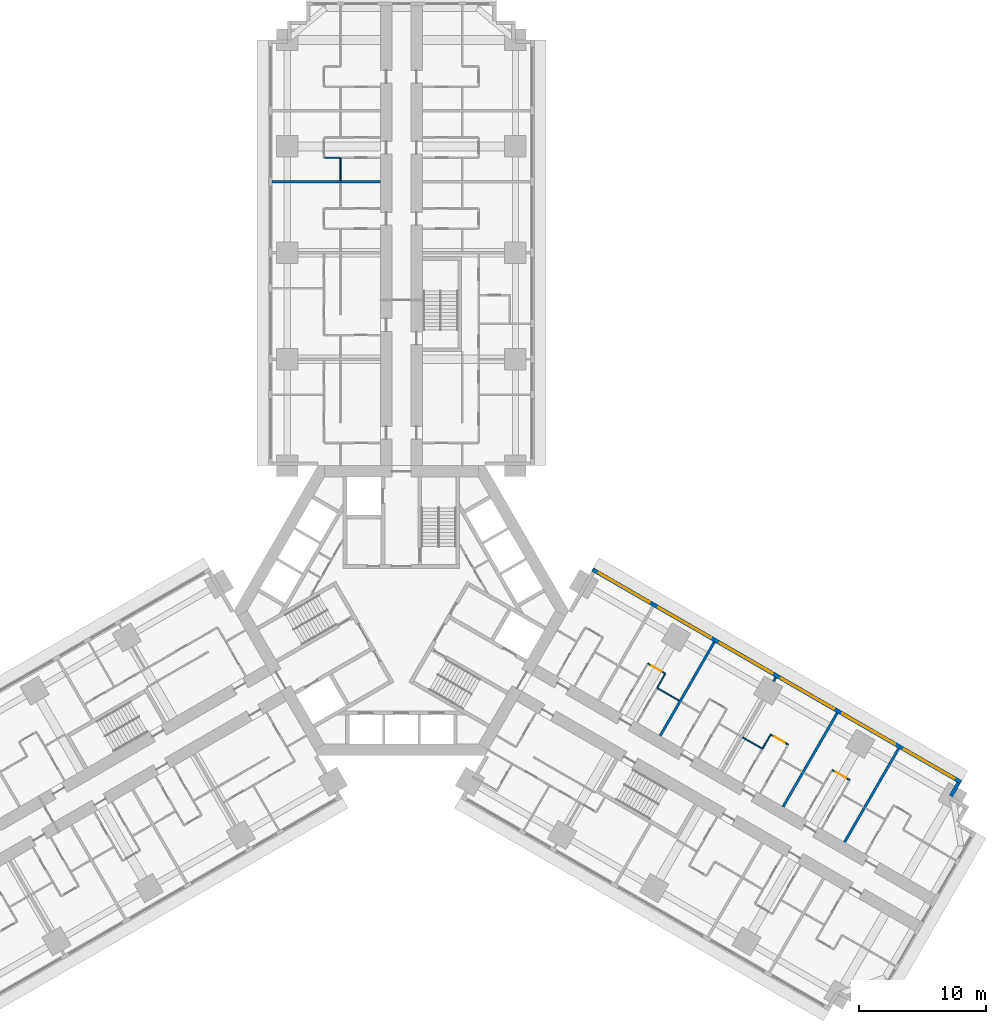
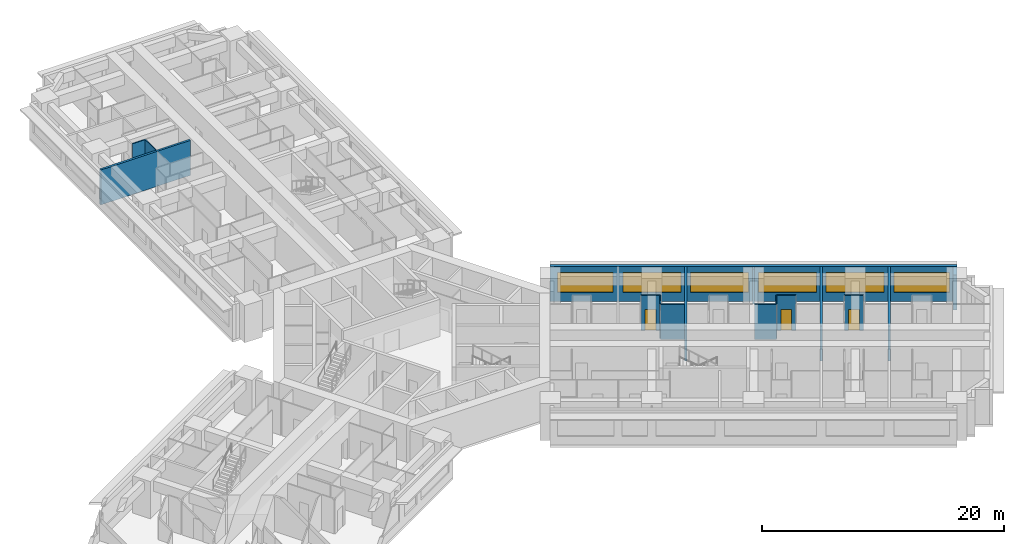
# One storey, part 13 of 16: 16 walls, 6 windows, 3 doors, 9 openings.
"""IFC4 building model written with IfcOpenShell, lengths in metres."""

from ifc_helpers import new_model, si_unit, direction, frame, frame_2d, origin, place, context, subcontext, project, spatial, rectangle, extrude, material, layer, layer_set, type_object, element, fill, save


model = new_model("IFC4")

# Units and contexts
model_context = context("Model", 3, precision=1e-05, world=origin(), true_north=direction((0.0, 1.0)))
body_context = subcontext(model_context, "Body", "Model", "MODEL_VIEW")
ifc_project = project(units=[si_unit("LENGTHUNIT", "METRE"), si_unit("AREAUNIT", "SQUARE_METRE"), si_unit("VOLUMEUNIT", "CUBIC_METRE"), si_unit("PLANEANGLEUNIT", "RADIAN"), si_unit("MASSUNIT", "GRAM", prefix="KILO")], contexts=[model_context])

# Site, building, storey
site_placement = place(None, origin())
site = spatial("IfcSite", under=ifc_project, at=site_placement, CompositionType="ELEMENT")
building_placement = place(site_placement, origin())
building = spatial("IfcBuilding", under=site, at=building_placement, Name="Impinga Residences", CompositionType="ELEMENT")
storey_placement = place(building_placement, frame((0.0, 0.0, 37.25)))
storey = spatial("IfcBuildingStorey", under=building, at=storey_placement, Name="L08", CompositionType="ELEMENT", Elevation=37.25)

# Wall, openings, windows
ifc_material_1 = material(Name="Terracotta rainscreen on blockwork", Category="masonry")
ifc_layer_1 = layer(ifc_material_1, 0.300048828125)
ifc_layer_set_1 = layer_set([ifc_layer_1], Name="EW1 external wall, terracotta rainscreen on blockwork 300")
wall_type_1 = type_object("IfcWallType", Name="EW1 external wall, terracotta rainscreen on blockwork 300", PredefinedType="SOLIDWALL", material=ifc_layer_set_1)
wall_1_placement = place(storey_placement, frame((15.074951171875, 3.24755859375, 0.0), z_axis=(0.0, 0.0, 1.0), x_axis=(0.866024291668, -0.500001926238, 0.0)))
wall_1 = element("IfcWall", 1, at=wall_1_placement, inside=storey, type_object=wall_type_1, Name="External wall EW1 L08", PredefinedType="SOLIDWALL", context=body_context, shape_type="SweptSolid", body=[
    extrude(rectangle(XDim=33.599853515625, YDim=0.300048828125, at=frame_2d((16.7998046875, 0.0))), origin(), (0.0, 0.0, 1.0), 3.530029296875),
])
opening_1_placement = place(wall_1_placement, frame((0.60009765625, 0.0, 0.89990234375)))
opening_1 = element("IfcOpeningElement", 2, at=opening_1_placement, cuts=wall_1, Name="Opening W3", PredefinedType="OPENING", context=body_context, shape_type="SweptSolid", body=[
    extrude(rectangle(XDim=4.60009765625, YDim=2.050048828125, at=frame_2d((2.300048828125, 1.02490234375))), frame((0.0, 0.159912109375, 0.0), z_axis=(0.0, -1.0, 0.0), x_axis=(1.0, 0.0, 0.0)), (0.0, 0.0, 1.0), 0.320068359375),
])
opening_2_placement = place(wall_1_placement, frame((6.0, 0.0, 0.89990234375)))
opening_2 = element("IfcOpeningElement", 3, at=opening_2_placement, cuts=wall_1, Name="Opening W8", PredefinedType="OPENING", context=body_context, shape_type="SweptSolid", body=[
    extrude(rectangle(XDim=4.800048828125, YDim=2.050048828125, at=frame_2d((2.39990234375, 1.02490234375))), frame((0.0, 0.159912109375, 0.0), z_axis=(0.0, -1.0, 0.0), x_axis=(1.0, 0.0, 0.0)), (0.0, 0.0, 1.0), 0.320068359375),
])
opening_3_placement = place(wall_1_placement, frame((11.60009765625, 0.0, 0.89990234375)))
opening_3 = element("IfcOpeningElement", 4, at=opening_3_placement, cuts=wall_1, Name="Opening W8", PredefinedType="OPENING", context=body_context, shape_type="SweptSolid", body=[
    extrude(rectangle(XDim=4.800048828125, YDim=2.050048828125, at=frame_2d((2.39990234375, 1.02490234375))), frame((0.0, 0.159912109375, 0.0), z_axis=(0.0, -1.0, 0.0), x_axis=(1.0, 0.0, 0.0)), (0.0, 0.0, 1.0), 0.320068359375),
])
opening_4_placement = place(wall_1_placement, frame((17.199951171875, 0.0, 0.89990234375)))
opening_4 = element("IfcOpeningElement", 5, at=opening_4_placement, cuts=wall_1, Name="Opening W8", PredefinedType="OPENING", context=body_context, shape_type="SweptSolid", body=[
    extrude(rectangle(XDim=4.800048828125, YDim=2.050048828125, at=frame_2d((2.39990234375, 1.02490234375))), frame((0.0, 0.159912109375, 0.0), z_axis=(0.0, -1.0, 0.0), x_axis=(1.0, 0.0, 0.0)), (0.0, 0.0, 1.0), 0.320068359375),
])
opening_5_placement = place(wall_1_placement, frame((22.800048828125, 0.0, 0.89990234375)))
opening_5 = element("IfcOpeningElement", 6, at=opening_5_placement, cuts=wall_1, Name="Opening W8", PredefinedType="OPENING", context=body_context, shape_type="SweptSolid", body=[
    extrude(rectangle(XDim=4.800048828125, YDim=2.050048828125, at=frame_2d((2.39990234375, 1.02490234375))), frame((0.0, 0.159912109375, 0.0), z_axis=(0.0, -1.0, 0.0), x_axis=(1.0, 0.0, 0.0)), (0.0, 0.0, 1.0), 0.320068359375),
])
opening_6_placement = place(wall_1_placement, frame((28.39990234375, 0.0, 0.89990234375)))
opening_6 = element("IfcOpeningElement", 7, at=opening_6_placement, cuts=wall_1, Name="Opening W3", PredefinedType="OPENING", context=body_context, shape_type="SweptSolid", body=[
    extrude(rectangle(XDim=4.60009765625, YDim=2.050048828125, at=frame_2d((2.300048828125, 1.02490234375))), frame((0.0, 0.159912109375, 0.0), z_axis=(0.0, -1.0, 0.0), x_axis=(1.0, 0.0, 0.0)), (0.0, 0.0, 1.0), 0.320068359375),
])
ifc_material_2 = material(Name="Aluminium window, clear double glazing", Category="aluminium")
window_type_1 = type_object("IfcWindowType", Name="W3 ribbon window 4600x2050", PartitioningType="SINGLE_PANEL", PredefinedType="WINDOW", material=ifc_material_2)
window_1_placement = place(opening_1_placement, origin())
window_1 = element("IfcWindow", 8, at=window_1_placement, inside=storey, type_object=window_type_1, Name="Window L08", OverallHeight=2.050048828125, OverallWidth=4.60009765625, PartitioningType="SINGLE_PANEL", PredefinedType="WINDOW", context=body_context, shape_type="SweptSolid", body=[
    extrude(rectangle(XDim=4.60009765625, YDim=2.050048828125, at=frame_2d((2.300048828125, 1.02490234375))), frame((0.0, 0.030029296875, 0.0), z_axis=(0.0, -1.0, 0.0), x_axis=(1.0, 0.0, 0.0)), (0.0, 0.0, 1.0), 0.06005859375),
])
fill(opening_1, window_1)
window_2_placement = place(opening_6_placement, origin())
window_2 = element("IfcWindow", 9, at=window_2_placement, inside=storey, type_object=window_type_1, Name="Window L08", OverallHeight=2.050048828125, OverallWidth=4.60009765625, PartitioningType="SINGLE_PANEL", PredefinedType="WINDOW", context=body_context, shape_type="SweptSolid", body=[
    extrude(rectangle(XDim=4.60009765625, YDim=2.050048828125, at=frame_2d((2.300048828125, 1.02490234375))), frame((0.0, 0.030029296875, 0.0), z_axis=(0.0, -1.0, 0.0), x_axis=(1.0, 0.0, 0.0)), (0.0, 0.0, 1.0), 0.06005859375),
])
fill(opening_6, window_2)
window_type_2 = type_object("IfcWindowType", Name="W8 ribbon window 4800x2050", PartitioningType="SINGLE_PANEL", PredefinedType="WINDOW", material=ifc_material_2)
window_3_placement = place(opening_2_placement, origin())
window_3 = element("IfcWindow", 10, at=window_3_placement, inside=storey, type_object=window_type_2, Name="Window L08", OverallHeight=2.050048828125, OverallWidth=4.800048828125, PartitioningType="SINGLE_PANEL", PredefinedType="WINDOW", context=body_context, shape_type="SweptSolid", body=[
    extrude(rectangle(XDim=4.800048828125, YDim=2.050048828125, at=frame_2d((2.39990234375, 1.02490234375))), frame((0.0, 0.030029296875, 0.0), z_axis=(0.0, -1.0, 0.0), x_axis=(1.0, 0.0, 0.0)), (0.0, 0.0, 1.0), 0.06005859375),
])
fill(opening_2, window_3)
window_4_placement = place(opening_3_placement, origin())
window_4 = element("IfcWindow", 11, at=window_4_placement, inside=storey, type_object=window_type_2, Name="Window L08", OverallHeight=2.050048828125, OverallWidth=4.800048828125, PartitioningType="SINGLE_PANEL", PredefinedType="WINDOW", context=body_context, shape_type="SweptSolid", body=[
    extrude(rectangle(XDim=4.800048828125, YDim=2.050048828125, at=frame_2d((2.39990234375, 1.02490234375))), frame((0.0, 0.030029296875, 0.0), z_axis=(0.0, -1.0, 0.0), x_axis=(1.0, 0.0, 0.0)), (0.0, 0.0, 1.0), 0.06005859375),
])
fill(opening_3, window_4)
window_5_placement = place(opening_4_placement, origin())
window_5 = element("IfcWindow", 12, at=window_5_placement, inside=storey, type_object=window_type_2, Name="Window L08", OverallHeight=2.050048828125, OverallWidth=4.800048828125, PartitioningType="SINGLE_PANEL", PredefinedType="WINDOW", context=body_context, shape_type="SweptSolid", body=[
    extrude(rectangle(XDim=4.800048828125, YDim=2.050048828125, at=frame_2d((2.39990234375, 1.02490234375))), frame((0.0, 0.030029296875, 0.0), z_axis=(0.0, -1.0, 0.0), x_axis=(1.0, 0.0, 0.0)), (0.0, 0.0, 1.0), 0.06005859375),
])
fill(opening_4, window_5)
window_6_placement = place(opening_5_placement, origin())
window_6 = element("IfcWindow", 13, at=window_6_placement, inside=storey, type_object=window_type_2, Name="Window L08", OverallHeight=2.050048828125, OverallWidth=4.800048828125, PartitioningType="SINGLE_PANEL", PredefinedType="WINDOW", context=body_context, shape_type="SweptSolid", body=[
    extrude(rectangle(XDim=4.800048828125, YDim=2.050048828125, at=frame_2d((2.39990234375, 1.02490234375))), frame((0.0, 0.030029296875, 0.0), z_axis=(0.0, -1.0, 0.0), x_axis=(1.0, 0.0, 0.0)), (0.0, 0.0, 1.0), 0.06005859375),
])
fill(opening_5, window_6)

# Walls
wall_2_placement = place(storey_placement, frame((43.968505859375, -13.607421875, 0.0), z_axis=(0.0, 0.0, 1.0), x_axis=(-0.500029051137, -0.866008630453, 0.0)))
element("IfcWall", 14, at=wall_2_placement, inside=storey, type_object=wall_type_1, Name="External wall EW1 L08", PredefinedType="SOLIDWALL", context=body_context, shape_type="SweptSolid", body=[
    extrude(rectangle(XDim=1.19482421875, YDim=0.300048828125, at=frame_2d((0.597412109375, 0.0))), origin(), (0.0, 0.0, 1.0), 3.530029296875),
])
ifc_material_3 = material(Name="Gypsum board on steel studs", Category="steel")
ifc_layer_2 = layer(ifc_material_3, 0.10009765625)
ifc_layer_set_2 = layer_set([ifc_layer_2], Name="Gypsum board on steel studs")
wall_type_2 = type_object("IfcWallType", Name="IP1 partition 100", PredefinedType="PARTITIONING", material=ifc_layer_set_2)
wall_3_placement = place(storey_placement, frame((-4.800048828125, 33.931640625, 0.0), z_axis=(0.0, 0.0, 1.0), x_axis=(0.0, 1.0, 0.0)))
element("IfcWall", 15, at=wall_3_placement, inside=storey, type_object=wall_type_2, Name="Partition L08-NA4:DIV0", PredefinedType="PARTITIONING", context=body_context, shape_type="SweptSolid", body=[
    extrude(rectangle(XDim=1.7998046875, YDim=0.10009765625, at=frame_2d((0.89990234375, 0.0))), origin(), (0.0, 0.0, 1.0), 3.530029296875),
])
wall_4_placement = place(storey_placement, frame((-4.85009765625, 35.7314453125, 0.0), z_axis=(0.0, 0.0, 1.0), x_axis=(-1.0, 0.0, 0.0)))
element("IfcWall", 16, at=wall_4_placement, inside=storey, type_object=wall_type_2, Name="Partition L08-NA4:SE0", PredefinedType="PARTITIONING", context=body_context, shape_type="SweptSolid", body=[
    extrude(rectangle(XDim=1.199951171875, YDim=0.10009765625, at=frame_2d((0.60009765625, 0.0))), origin(), (0.0, 0.0, 1.0), 3.530029296875),
])
wall_5_placement = place(storey_placement, frame((20.180908203125, -6.10888671875, 0.0), z_axis=(0.0, 0.0, 1.0), x_axis=(0.866010750942, -0.50002537861, 0.0)))
element("IfcWall", 17, at=wall_5_placement, inside=storey, type_object=wall_type_2, Name="Partition L08-EA2:DIV1", PredefinedType="PARTITIONING", context=body_context, shape_type="SweptSolid", body=[
    extrude(rectangle(XDim=2.0, YDim=0.10009765625, at=frame_2d((1.0, 0.0))), origin(), (0.0, 0.0, 1.0), 3.530029296875),
])

# Wall, opening, door
wall_6_placement = place(storey_placement, frame((19.4453125, -4.18310546875, 0.0), z_axis=(0.0, 0.0, 1.0), x_axis=(0.866055983265, -0.499947031044, 0.0)))
wall_6 = element("IfcWall", 18, at=wall_6_placement, inside=storey, type_object=wall_type_2, Name="Partition L08-EA2:STRIP", PredefinedType="PARTITIONING", context=body_context, shape_type="SweptSolid", body=[
    extrude(rectangle(XDim=1.599853515625, YDim=0.10009765625, at=frame_2d((0.7998046875, 0.0))), origin(), (0.0, 0.0, 1.0), 3.530029296875),
])
opening_7_placement = place(wall_6_placement, frame((0.35009765625, 0.0, 0.0)))
opening_7 = element("IfcOpeningElement", 19, at=opening_7_placement, cuts=wall_6, Name="Opening D2", PredefinedType="OPENING", context=body_context, shape_type="SweptSolid", body=[
    extrude(rectangle(XDim=0.89990234375, YDim=2.10009765625, at=frame_2d((0.449951171875, 1.050048828125))), frame((0.0, 0.06005859375, 0.0), z_axis=(0.0, -1.0, 0.0), x_axis=(1.0, 0.0, 0.0)), (0.0, 0.0, 1.0), 0.1201171875),
])
ifc_material_4 = material(Name="Timber door set", Category="wood")
door_type = type_object("IfcDoorType", Name="D2 internal door 900x2100", OperationType="SINGLE_SWING_LEFT", PredefinedType="DOOR", material=ifc_material_4)
door_1_placement = place(opening_7_placement, origin())
door_1 = element("IfcDoor", 20, at=door_1_placement, inside=storey, type_object=door_type, Name="Apartment L08-EA2 room door", OperationType="SINGLE_SWING_LEFT", OverallHeight=2.10009765625, OverallWidth=0.89990234375, PredefinedType="DOOR", context=body_context, shape_type="SweptSolid", body=[
    extrude(rectangle(XDim=0.89990234375, YDim=2.10009765625, at=frame_2d((0.449951171875, 1.050048828125))), frame((0.0, 0.02490234375, 0.0), z_axis=(0.0, -1.0, 0.0), x_axis=(1.0, 0.0, 0.0)), (0.0, 0.0, 1.0), 0.050048828125),
])
fill(opening_7, door_1)

# Walls
wall_7_placement = place(storey_placement, frame((20.205810546875, -6.0654296875, 0.0), z_axis=(0.0, 0.0, 1.0), x_axis=(0.50012165622, 0.865955154139, 0.0)))
element("IfcWall", 21, at=wall_7_placement, inside=storey, type_object=wall_type_2, Name="Partition L08-EA2:SE1", PredefinedType="PARTITIONING", context=body_context, shape_type="SweptSolid", body=[
    extrude(rectangle(XDim=1.199951171875, YDim=0.10009765625, at=frame_2d((0.60009765625, 0.0))), origin(), (0.0, 0.0, 1.0), 3.530029296875),
])
wall_8_placement = place(storey_placement, frame((26.935791015625, -10.0087890625, 0.0), z_axis=(0.0, 0.0, 1.0), x_axis=(0.865989075817, -0.500062916607, 0.0)))
element("IfcWall", 22, at=wall_8_placement, inside=storey, type_object=wall_type_2, Name="Partition L08-EA4:DIV0", PredefinedType="PARTITIONING", context=body_context, shape_type="SweptSolid", body=[
    extrude(rectangle(XDim=1.800048828125, YDim=0.10009765625, at=frame_2d((0.89990234375, 0.0))), origin(), (0.0, 0.0, 1.0), 3.530029296875),
])

# Wall, opening, door
wall_9_placement = place(storey_placement, frame((29.144775390625, -9.782958984375, 0.0), z_axis=(0.0, 0.0, 1.0), x_axis=(0.865989903783, -0.500061482766, 0.0)))
wall_9 = element("IfcWall", 23, at=wall_9_placement, inside=storey, type_object=wall_type_2, Name="Partition L08-EA4:STRIP", PredefinedType="PARTITIONING", context=body_context, shape_type="SweptSolid", body=[
    extrude(rectangle(XDim=1.599853515625, YDim=0.10009765625, at=frame_2d((0.7998046875, 0.0))), origin(), (0.0, 0.0, 1.0), 3.530029296875),
])
opening_8_placement = place(wall_9_placement, frame((0.35009765625, 0.0, 0.0)))
opening_8 = element("IfcOpeningElement", 24, at=opening_8_placement, cuts=wall_9, Name="Opening D2", PredefinedType="OPENING", context=body_context, shape_type="SweptSolid", body=[
    extrude(rectangle(XDim=0.89990234375, YDim=2.10009765625, at=frame_2d((0.449951171875, 1.050048828125))), frame((0.0, 0.06005859375, 0.0), z_axis=(0.0, -1.0, 0.0), x_axis=(1.0, 0.0, 0.0)), (0.0, 0.0, 1.0), 0.1201171875),
])
door_2_placement = place(opening_8_placement, origin())
door_2 = element("IfcDoor", 25, at=door_2_placement, inside=storey, type_object=door_type, Name="Apartment L08-EA4 room door", OperationType="SINGLE_SWING_LEFT", OverallHeight=2.10009765625, OverallWidth=0.89990234375, PredefinedType="DOOR", context=body_context, shape_type="SweptSolid", body=[
    extrude(rectangle(XDim=0.89990234375, YDim=2.10009765625, at=frame_2d((0.449951171875, 1.050048828125))), frame((0.0, 0.02490234375, 0.0), z_axis=(0.0, -1.0, 0.0), x_axis=(1.0, 0.0, 0.0)), (0.0, 0.0, 1.0), 0.050048828125),
])
fill(opening_8, door_2)

# Wall
wall_10_placement = place(storey_placement, frame((28.519775390625, -10.865478515625, 0.0), z_axis=(0.0, 0.0, 1.0), x_axis=(0.499969057507, 0.866043267704, 0.0)))
element("IfcWall", 26, at=wall_10_placement, inside=storey, type_object=wall_type_2, Name="Partition L08-EA4:SE0", PredefinedType="PARTITIONING", context=body_context, shape_type="SweptSolid", body=[
    extrude(rectangle(XDim=1.19970703125, YDim=0.10009765625, at=frame_2d((0.599853515625, 0.0))), origin(), (0.0, 0.0, 1.0), 3.530029296875),
])

# Wall, opening, door
wall_11_placement = place(storey_placement, frame((33.994384765625, -12.5830078125, 0.0), z_axis=(0.0, 0.0, 1.0), x_axis=(0.866028054938, -0.499995408039, 0.0)))
wall_11 = element("IfcWall", 27, at=wall_11_placement, inside=storey, type_object=wall_type_2, Name="Partition L08-EA5:STRIP", PredefinedType="PARTITIONING", context=body_context, shape_type="SweptSolid", body=[
    extrude(rectangle(XDim=1.60009765625, YDim=0.10009765625, at=frame_2d((0.800048828125, 0.0))), origin(), (0.0, 0.0, 1.0), 3.530029296875),
])
opening_9_placement = place(wall_11_placement, frame((0.35009765625, 0.0, 0.0)))
opening_9 = element("IfcOpeningElement", 28, at=opening_9_placement, cuts=wall_11, Name="Opening D2", PredefinedType="OPENING", context=body_context, shape_type="SweptSolid", body=[
    extrude(rectangle(XDim=0.89990234375, YDim=2.10009765625, at=frame_2d((0.449951171875, 1.050048828125))), frame((0.0, 0.06005859375, 0.0), z_axis=(0.0, -1.0, 0.0), x_axis=(1.0, 0.0, 0.0)), (0.0, 0.0, 1.0), 0.1201171875),
])
door_3_placement = place(opening_9_placement, origin())
door_3 = element("IfcDoor", 29, at=door_3_placement, inside=storey, type_object=door_type, Name="Apartment L08-EA5 room door", OperationType="SINGLE_SWING_LEFT", OverallHeight=2.10009765625, OverallWidth=0.89990234375, PredefinedType="DOOR", context=body_context, shape_type="SweptSolid", body=[
    extrude(rectangle(XDim=0.89990234375, YDim=2.10009765625, at=frame_2d((0.449951171875, 1.050048828125))), frame((0.0, 0.02490234375, 0.0), z_axis=(0.0, -1.0, 0.0), x_axis=(1.0, 0.0, 0.0)), (0.0, 0.0, 1.0), 0.050048828125),
])
fill(opening_9, door_3)

# Walls
ifc_material_5 = material(Name="Concrete blockwork", Category="masonry")
ifc_layer_3 = layer(ifc_material_5, 0.199951171875)
ifc_layer_set_3 = layer_set([ifc_layer_3], Name="PW1 party wall between apartments 200")
wall_type_3 = type_object("IfcWallType", Name="PW1 party wall between apartments 200", PredefinedType="SOLIDWALL", material=ifc_layer_set_3)
wall_12_placement = place(storey_placement, frame((-1.64990234375, 33.83154296875, 0.0), z_axis=(0.0, 0.0, 1.0), x_axis=(-1.0, 0.0, 0.0)))
element("IfcWall", 30, at=wall_12_placement, inside=storey, type_object=wall_type_3, Name="Party wall between apartments L08-NA3:PARTY", PredefinedType="SOLIDWALL", context=body_context, shape_type="SweptSolid", body=[
    extrude(rectangle(XDim=8.550048828125, YDim=0.199951171875, at=frame_2d((4.27490234375, 0.0))), origin(), (0.0, 0.0, 1.0), 3.530029296875),
])
wall_13_placement = place(storey_placement, frame((20.424560546875, -9.88671875, 0.0), z_axis=(0.0, 0.0, 1.0), x_axis=(0.500002592159, 0.866023907196, 0.0)))
element("IfcWall", 31, at=wall_13_placement, inside=storey, type_object=wall_type_3, Name="Party wall between apartments L08-EA2:PARTY", PredefinedType="SOLIDWALL", context=body_context, shape_type="SweptSolid", body=[
    extrude(rectangle(XDim=8.5498046875, YDim=0.199951171875, at=frame_2d((4.27490234375, 0.0))), origin(), (0.0, 0.0, 1.0), 3.530029296875),
])
wall_14_placement = place(storey_placement, frame((29.374267578125, -5.58544921875, 0.0), z_axis=(0.0, 0.0, 1.0), x_axis=(0.49996389635, 0.866046247233, 0.0)))
element("IfcWall", 32, at=wall_14_placement, inside=storey, type_object=wall_type_3, Name="Party wall between apartments L08-EA3:PARTYb", PredefinedType="SOLIDWALL", context=body_context, shape_type="SweptSolid", body=[
    extrude(rectangle(XDim=0.35009765625, YDim=0.199951171875, at=frame_2d((0.175048828125, 0.0))), origin(), (0.0, 0.0, 1.0), 3.530029296875),
])
for number, where, z_axis, x_axis, name in (
    (33, (30.1240234375, -15.48681640625, 0.0), (0.0, 0.0, 1.0), (0.499990227581, 0.86603104582, 0.0), "Party wall between apartments L08-EA4:PARTY"),
    (34, (34.9736328125, -18.286865234375, 0.0), (0.0, 0.0, 1.0), (0.500011643316, 0.866018681408, 0.0), "Party wall between apartments L08-EA5:PARTY"),
):
    element("IfcWall", number, at=place(storey_placement, frame(where, z_axis=z_axis, x_axis=x_axis)), inside=storey, type_object=wall_type_3, Name=name, PredefinedType="SOLIDWALL", context=body_context, shape_type="SweptSolid", body=[
        extrude(rectangle(XDim=8.550048828125, YDim=0.199951171875, at=frame_2d((4.27490234375, 0.0))), origin(), (0.0, 0.0, 1.0), 3.530029296875),
    ])

save(model, "model.ifc")
